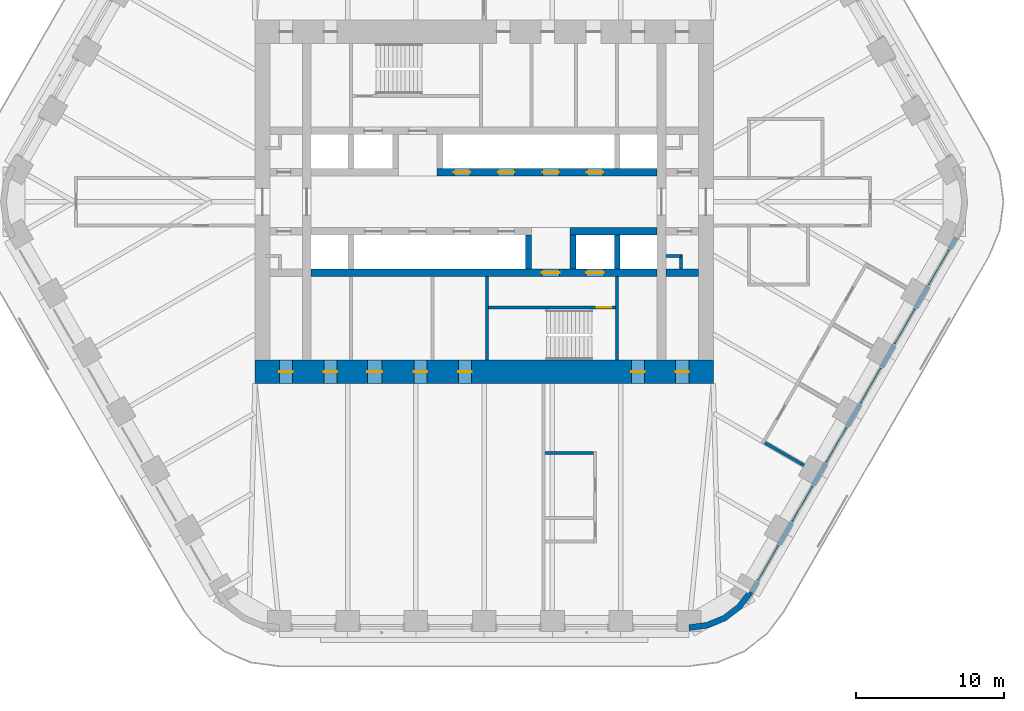
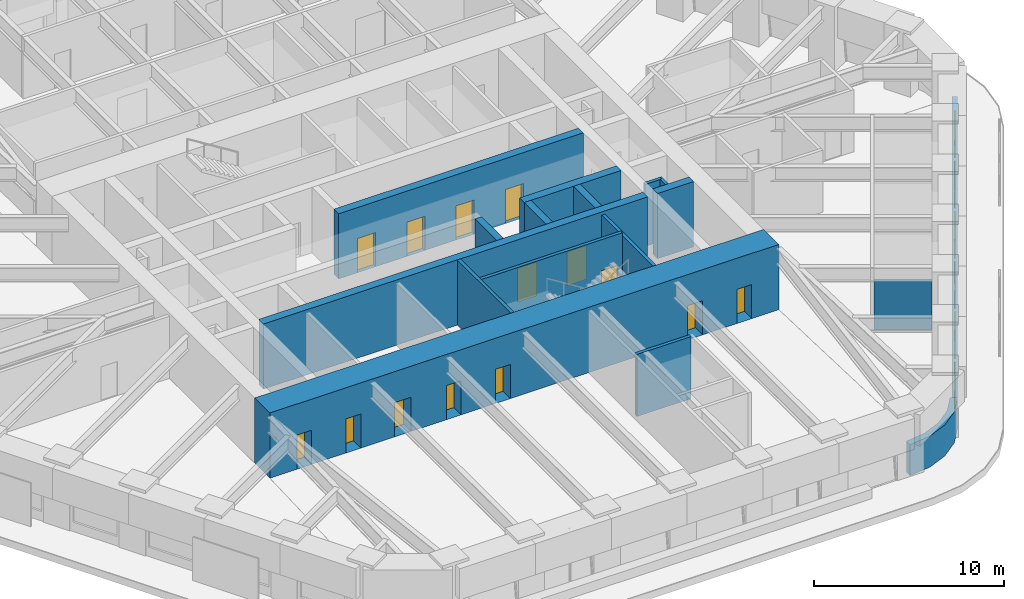
# One storey, part 15 of 20: 17 walls, 14 doors, 6 windows, 20 openings.
"""IFC4 building model written with IfcOpenShell, lengths in metres."""

from ifc_helpers import new_model, si_unit, direction, frame, frame_2d, origin, place, context, subcontext, project, spatial, polyline, rectangle, outline, extrude, material, layer, layer_set, type_object, element, fill, save


model = new_model("IFC4")

# Units and contexts
model_context = context("Model", 3, precision=1e-05, world=origin(), true_north=direction((0.0, 1.0)))
body_context = subcontext(model_context, "Body", "Model", "MODEL_VIEW")
ifc_project = project(units=[si_unit("LENGTHUNIT", "METRE"), si_unit("AREAUNIT", "SQUARE_METRE"), si_unit("VOLUMEUNIT", "CUBIC_METRE"), si_unit("PLANEANGLEUNIT", "RADIAN"), si_unit("MASSUNIT", "GRAM", prefix="KILO")], contexts=[model_context])

# Site, building, storey
site_placement = place(None, origin())
site = spatial("IfcSite", under=ifc_project, at=site_placement, CompositionType="ELEMENT")
building_placement = place(site_placement, origin())
building = spatial("IfcBuilding", under=site, at=building_placement, Name="Tarfa Lantern Tower", CompositionType="ELEMENT")
storey_placement = place(building_placement, frame((0.0, 0.0, 228.10009765625)))
storey = spatial("IfcBuildingStorey", under=building, at=storey_placement, Name="L51", CompositionType="ELEMENT", Elevation=228.10009765625)

# Wall, openings, windows
ifc_material_1 = material(Name="Limestone cladding on blockwork", Category="masonry")
ifc_layer_1 = layer(ifc_material_1, 0.300048828125)
ifc_layer_set_1 = layer_set([ifc_layer_1], Name="EW1 STONE-CLAD WALL 300")
wall_type_1 = type_object("IfcWallType", Name="EW1 STONE-CLAD WALL 300", PredefinedType="SOLIDWALL", material=ifc_layer_set_1)
wall_1_placement = place(storey_placement, frame((18.056640625, -26.425048828125, 0.0), z_axis=(0.0, 0.0, 1.0), x_axis=(0.500001051461, 0.866024796723, 0.0)))
wall_1 = element("IfcWall", 1, at=wall_1_placement, inside=storey, type_object=wall_type_1, Name="Stone wall SE", PredefinedType="SOLIDWALL", context=body_context, shape_type="SweptSolid", body=[
    extrude(rectangle(XDim=27.712890625, YDim=0.300048828125, at=frame_2d((13.8564453125, 0.0))), origin(), (0.0, 0.0, 1.0), 2.0),
])
opening_1_placement = place(wall_1_placement, frame((0.95947265625, 0.0, 0.60009765625)))
opening_1 = element("IfcOpeningElement", 2, at=opening_1_placement, cuts=wall_1, Name="Opening W13", PredefinedType="OPENING", context=body_context, shape_type="SweptSolid", body=[
    extrude(rectangle(XDim=2.699951171875, YDim=1.14990234375, at=frame_2d((1.35009765625, 0.574951171875))), frame((0.0, 0.159912109375, 0.0), z_axis=(0.0, -1.0, 0.0), x_axis=(1.0, 0.0, 0.0)), (0.0, 0.0, 1.0), 0.320068359375),
])
opening_2_placement = place(wall_1_placement, frame((5.578125, 0.0, 0.60009765625)))
opening_2 = element("IfcOpeningElement", 3, at=opening_2_placement, cuts=wall_1, Name="Opening W13", PredefinedType="OPENING", context=body_context, shape_type="SweptSolid", body=[
    extrude(rectangle(XDim=2.699951171875, YDim=1.14990234375, at=frame_2d((1.35009765625, 0.574951171875))), frame((0.0, 0.159912109375, 0.0), z_axis=(0.0, -1.0, 0.0), x_axis=(1.0, 0.0, 0.0)), (0.0, 0.0, 1.0), 0.320068359375),
])
opening_3_placement = place(wall_1_placement, frame((10.197021484375, 0.0, 0.60009765625)))
opening_3 = element("IfcOpeningElement", 4, at=opening_3_placement, cuts=wall_1, Name="Opening W13", PredefinedType="OPENING", context=body_context, shape_type="SweptSolid", body=[
    extrude(rectangle(XDim=2.699951171875, YDim=1.14990234375, at=frame_2d((1.35009765625, 0.574951171875))), frame((0.0, 0.159912109375, 0.0), z_axis=(0.0, -1.0, 0.0), x_axis=(1.0, 0.0, 0.0)), (0.0, 0.0, 1.0), 0.320068359375),
])
opening_4_placement = place(wall_1_placement, frame((14.81591796875, 0.0, 0.60009765625)))
opening_4 = element("IfcOpeningElement", 5, at=opening_4_placement, cuts=wall_1, Name="Opening W13", PredefinedType="OPENING", context=body_context, shape_type="SweptSolid", body=[
    extrude(rectangle(XDim=2.699951171875, YDim=1.14990234375, at=frame_2d((1.35009765625, 0.574951171875))), frame((0.0, 0.159912109375, 0.0), z_axis=(0.0, -1.0, 0.0), x_axis=(1.0, 0.0, 0.0)), (0.0, 0.0, 1.0), 0.320068359375),
])
opening_5_placement = place(wall_1_placement, frame((19.4345703125, 0.0, 0.60009765625)))
opening_5 = element("IfcOpeningElement", 6, at=opening_5_placement, cuts=wall_1, Name="Opening W13", PredefinedType="OPENING", context=body_context, shape_type="SweptSolid", body=[
    extrude(rectangle(XDim=2.699951171875, YDim=1.14990234375, at=frame_2d((1.35009765625, 0.574951171875))), frame((0.0, 0.159912109375, 0.0), z_axis=(0.0, -1.0, 0.0), x_axis=(1.0, 0.0, 0.0)), (0.0, 0.0, 1.0), 0.320068359375),
])
opening_6_placement = place(wall_1_placement, frame((24.053466796875, 0.0, 0.60009765625)))
opening_6 = element("IfcOpeningElement", 7, at=opening_6_placement, cuts=wall_1, Name="Opening W13", PredefinedType="OPENING", context=body_context, shape_type="SweptSolid", body=[
    extrude(rectangle(XDim=2.699951171875, YDim=1.14990234375, at=frame_2d((1.35009765625, 0.574951171875))), frame((0.0, 0.159912109375, 0.0), z_axis=(0.0, -1.0, 0.0), x_axis=(1.0, 0.0, 0.0)), (0.0, 0.0, 1.0), 0.320068359375),
])
ifc_material_2 = material(Name="Aluminium frame, double glazed", Category="aluminium")
window_type = type_object("IfcWindowType", Name="W13 FULL-HEIGHT GLAZING 2700x1150", PartitioningType="SINGLE_PANEL", PredefinedType="WINDOW", material=ifc_material_2)
window_1_placement = place(opening_1_placement, origin())
window_1 = element("IfcWindow", 8, at=window_1_placement, inside=storey, type_object=window_type, Name="Window SE 1", OverallHeight=1.14990234375, OverallWidth=2.699951171875, PartitioningType="SINGLE_PANEL", PredefinedType="WINDOW", context=body_context, shape_type="SweptSolid", body=[
    extrude(rectangle(XDim=2.699951171875, YDim=1.14990234375, at=frame_2d((1.35009765625, 0.574951171875))), frame((0.0, 0.030029296875, 0.0), z_axis=(0.0, -1.0, 0.0), x_axis=(1.0, 0.0, 0.0)), (0.0, 0.0, 1.0), 0.06005859375),
])
fill(opening_1, window_1)
window_2_placement = place(opening_2_placement, origin())
window_2 = element("IfcWindow", 9, at=window_2_placement, inside=storey, type_object=window_type, Name="Window SE 2", OverallHeight=1.14990234375, OverallWidth=2.699951171875, PartitioningType="SINGLE_PANEL", PredefinedType="WINDOW", context=body_context, shape_type="SweptSolid", body=[
    extrude(rectangle(XDim=2.699951171875, YDim=1.14990234375, at=frame_2d((1.35009765625, 0.574951171875))), frame((0.0, 0.030029296875, 0.0), z_axis=(0.0, -1.0, 0.0), x_axis=(1.0, 0.0, 0.0)), (0.0, 0.0, 1.0), 0.06005859375),
])
fill(opening_2, window_2)
window_3_placement = place(opening_3_placement, origin())
window_3 = element("IfcWindow", 10, at=window_3_placement, inside=storey, type_object=window_type, Name="Window SE 3", OverallHeight=1.14990234375, OverallWidth=2.699951171875, PartitioningType="SINGLE_PANEL", PredefinedType="WINDOW", context=body_context, shape_type="SweptSolid", body=[
    extrude(rectangle(XDim=2.699951171875, YDim=1.14990234375, at=frame_2d((1.35009765625, 0.574951171875))), frame((0.0, 0.030029296875, 0.0), z_axis=(0.0, -1.0, 0.0), x_axis=(1.0, 0.0, 0.0)), (0.0, 0.0, 1.0), 0.06005859375),
])
fill(opening_3, window_3)
window_4_placement = place(opening_4_placement, origin())
window_4 = element("IfcWindow", 11, at=window_4_placement, inside=storey, type_object=window_type, Name="Window SE 4", OverallHeight=1.14990234375, OverallWidth=2.699951171875, PartitioningType="SINGLE_PANEL", PredefinedType="WINDOW", context=body_context, shape_type="SweptSolid", body=[
    extrude(rectangle(XDim=2.699951171875, YDim=1.14990234375, at=frame_2d((1.35009765625, 0.574951171875))), frame((0.0, 0.030029296875, 0.0), z_axis=(0.0, -1.0, 0.0), x_axis=(1.0, 0.0, 0.0)), (0.0, 0.0, 1.0), 0.06005859375),
])
fill(opening_4, window_4)
window_5_placement = place(opening_5_placement, origin())
window_5 = element("IfcWindow", 12, at=window_5_placement, inside=storey, type_object=window_type, Name="Window SE 5", OverallHeight=1.14990234375, OverallWidth=2.699951171875, PartitioningType="SINGLE_PANEL", PredefinedType="WINDOW", context=body_context, shape_type="SweptSolid", body=[
    extrude(rectangle(XDim=2.699951171875, YDim=1.14990234375, at=frame_2d((1.35009765625, 0.574951171875))), frame((0.0, 0.030029296875, 0.0), z_axis=(0.0, -1.0, 0.0), x_axis=(1.0, 0.0, 0.0)), (0.0, 0.0, 1.0), 0.06005859375),
])
fill(opening_5, window_5)
window_6_placement = place(opening_6_placement, origin())
window_6 = element("IfcWindow", 13, at=window_6_placement, inside=storey, type_object=window_type, Name="Window SE 6", OverallHeight=1.14990234375, OverallWidth=2.699951171875, PartitioningType="SINGLE_PANEL", PredefinedType="WINDOW", context=body_context, shape_type="SweptSolid", body=[
    extrude(rectangle(XDim=2.699951171875, YDim=1.14990234375, at=frame_2d((1.35009765625, 0.574951171875))), frame((0.0, 0.030029296875, 0.0), z_axis=(0.0, -1.0, 0.0), x_axis=(1.0, 0.0, 0.0)), (0.0, 0.0, 1.0), 0.06005859375),
])
fill(opening_6, window_6)

# Walls
ifc_layer_2 = layer(ifc_material_1, 0.39990234375)
ifc_layer_set_2 = layer_set([ifc_layer_2], Name="EW2 CURVED STONE CORNER 400")
wall_type_2 = type_object("IfcWallType", Name="EW2 CURVED STONE CORNER 400", PredefinedType="SOLIDWALL", material=ifc_layer_set_2)
wall_2_placement = place(storey_placement, origin())
element("IfcWall", 14, at=wall_2_placement, inside=storey, type_object=wall_type_2, Name="Stone corner S-SE", PredefinedType="SOLIDWALL", context=body_context, shape_type="SweptSolid", body=[
    extrude(outline(polyline([(13.8564453125, -29.0), (15.150390625, -28.82958984375), (16.3564453125, -28.330078125), (17.391845703125, -27.53564453125), (18.1865234375, -26.5), (17.840087890625, -26.300048828125), (17.109130859375, -27.252685546875), (16.156494140625, -27.983642578125), (15.046875, -28.443359375), (13.8564453125, -28.60009765625), (13.8564453125, -29.0)])), origin(), (0.0, 0.0, 1.0), 2.0),
])
ifc_material_3 = material(Name="Concrete blockwork", Category="masonry")
ifc_layer_3 = layer(ifc_material_3, 0.199951171875)
ifc_layer_set_3 = layer_set([ifc_layer_3], Name="IW1 BLOCKWORK PARTITION 200 EI 120")
wall_type_3 = type_object("IfcWallType", Name="IW1 BLOCKWORK PARTITION 200 EI 120", PredefinedType="PARTITIONING", material=ifc_layer_set_3)
wall_3_placement = place(storey_placement, frame((9.0, -5.050048828125, 0.0), z_axis=(0.0, 0.0, 1.0), x_axis=(0.0, -1.0, 0.0)))
element("IfcWall", 15, at=wall_3_placement, inside=storey, type_object=wall_type_3, Name="Core partition", PredefinedType="PARTITIONING", context=body_context, shape_type="SweptSolid", body=[
    extrude(rectangle(XDim=5.64990234375, YDim=0.199951171875, at=frame_2d((2.824951171875, 0.0))), origin(), (0.0, 0.0, 1.0), 4.0),
])
for number, where, z_axis, x_axis, name in (
    (16, (13.300048828125, -3.64990234375, 0.0), (0.0, 0.0, 1.0), (-1.0, 0.0, 0.0), "Core partition"),
    (17, (13.300048828125, -3.550048828125, 0.0), (0.0, 0.0, 1.0), (0.0, -1.0, 0.0), "Core partition"),
):
    element("IfcWall", number, at=place(storey_placement, frame(where, z_axis=z_axis, x_axis=x_axis)), inside=storey, type_object=wall_type_3, Name=name, PredefinedType="PARTITIONING", context=body_context, shape_type="SweptSolid", body=[
        extrude(rectangle(XDim=1.0, YDim=0.199951171875, at=frame_2d((0.5, 0.0))), origin(), (0.0, 0.0, 1.0), 4.0),
    ])
ifc_material_4 = material(Name="Gypsum board on steel studs", Category="steel")
ifc_layer_4 = layer(ifc_material_4, 0.2099609375)
ifc_layer_set_4 = layer_set([ifc_layer_4], Name="IW2 ACOUSTIC PARTITION 200")
wall_type_4 = type_object("IfcWallType", Name="IW2 ACOUSTIC PARTITION 200", PredefinedType="PARTITIONING", material=ifc_layer_set_4)
wall_4_placement = place(storey_placement, frame((18.994873046875, -16.300048828125, 0.0), z_axis=(0.0, 0.0, 1.0), x_axis=(0.866037623948, -0.499978833458, 0.0)))
element("IfcWall", 18, at=wall_4_placement, inside=storey, type_object=wall_type_4, Name="Partition", PredefinedType="PARTITIONING", context=body_context, shape_type="SweptSolid", body=[
    extrude(rectangle(XDim=3.050048828125, YDim=0.199951171875, at=frame_2d((1.52490234375, 0.0))), origin(), (0.0, 0.0, 1.0), 3.08154296875),
])
wall_5_placement = place(storey_placement, frame((4.10009765625, -16.97509765625, 0.0), z_axis=(0.0, 0.0, 1.0), x_axis=(1.0, 0.0, 0.0)))
element("IfcWall", 19, at=wall_5_placement, inside=storey, type_object=wall_type_4, Name="Partition", PredefinedType="PARTITIONING", context=body_context, shape_type="SweptSolid", body=[
    extrude(rectangle(XDim=3.2998046875, YDim=0.199951171875, at=frame_2d((1.64990234375, 0.0))), origin(), (0.0, 0.0, 1.0), 4.0),
])
ifc_material_5 = material(Name="Concrete C80/95", Category="concrete")
ifc_layer_5 = layer(ifc_material_5, 0.199951171875)
ifc_layer_set_5 = layer_set([ifc_layer_5], Name="SW12 CORE WALL 200")
wall_type_5 = type_object("IfcWallType", Name="SW12 CORE WALL 200", PredefinedType="SHEAR", material=ifc_layer_set_5)
wall_6_placement = place(storey_placement, frame((0.199951171875, -5.050048828125, 0.0), z_axis=(0.0, 0.0, 1.0), x_axis=(0.0, -1.0, 0.0)))
element("IfcWall", 20, at=wall_6_placement, inside=storey, type_object=wall_type_5, Name="Core wall stair shaft S", PredefinedType="SHEAR", context=body_context, shape_type="SweptSolid", body=[
    extrude(rectangle(XDim=5.64990234375, YDim=0.199951171875, at=frame_2d((2.824951171875, 0.0))), origin(), (0.0, 0.0, 1.0), 4.199951171875),
])

# Wall, opening, door
wall_7_placement = place(storey_placement, frame((8.89990234375, -7.14990234375, 0.0), z_axis=(0.0, 0.0, 1.0), x_axis=(-1.0, 0.0, 0.0)))
wall_7 = element("IfcWall", 21, at=wall_7_placement, inside=storey, type_object=wall_type_5, Name="Core wall stair partition S", PredefinedType="SHEAR", context=body_context, shape_type="SweptSolid", body=[
    extrude(rectangle(XDim=8.599853515625, YDim=0.199951171875, at=frame_2d((4.2998046875, 0.0))), origin(), (0.0, 0.0, 1.0), 4.199951171875),
])
opening_7_placement = place(wall_7_placement, frame((0.300048828125, 0.0, 0.0)))
opening_7 = element("IfcOpeningElement", 22, at=opening_7_placement, cuts=wall_7, Name="Opening D24", PredefinedType="OPENING", context=body_context, shape_type="SweptSolid", body=[
    extrude(rectangle(XDim=1.0, YDim=2.199951171875, at=frame_2d((0.5, 1.10009765625))), frame((0.0, 0.10986328125, 0.0), z_axis=(0.0, -1.0, 0.0), x_axis=(1.0, 0.0, 0.0)), (0.0, 0.0, 1.0), 0.219970703125),
])
ifc_material_6 = material(Name="Steel fire door", Category="steel")
door_type_1 = type_object("IfcDoorType", Name="DF2 STAIR DOOR 1000x2200", OperationType="SINGLE_SWING_LEFT", PredefinedType="DOOR", material=ifc_material_6)
door_1_placement = place(opening_7_placement, origin())
door_1 = element("IfcDoor", 23, at=door_1_placement, inside=storey, type_object=door_type_1, Name="Stair door", OperationType="SINGLE_SWING_RIGHT", OverallHeight=2.199951171875, OverallWidth=1.0, PredefinedType="DOOR", context=body_context, shape_type="SweptSolid", body=[
    extrude(rectangle(XDim=1.0, YDim=2.199951171875, at=frame_2d((0.5, 1.10009765625))), frame((0.0, 0.02490234375, 0.0), z_axis=(0.0, -1.0, 0.0), x_axis=(1.0, 0.0, 0.0)), (0.0, 0.0, 1.0), 0.050048828125),
])
fill(opening_7, door_1)

# Wall, openings, doors
ifc_layer_6 = layer(ifc_material_5, 0.5)
ifc_layer_set_6 = layer_set([ifc_layer_6], Name="SW5 CORE WALL 500")
wall_type_6 = type_object("IfcWallType", Name="SW5 CORE WALL 500", PredefinedType="SHEAR", material=ifc_layer_set_6)
wall_8_placement = place(storey_placement, frame((-3.199951171875, 2.0, 0.0), z_axis=(0.0, 0.0, 1.0), x_axis=(1.0, 0.0, 0.0)))
wall_8 = element("IfcWall", 24, at=wall_8_placement, inside=storey, type_object=wall_type_6, Name="Core wall lobby east N", PredefinedType="SHEAR", context=body_context, shape_type="SweptSolid", body=[
    extrude(rectangle(XDim=14.89990234375, YDim=0.5, at=frame_2d((7.449951171875, 0.0))), origin(), (0.0, 0.0, 1.0), 4.199951171875),
])
opening_8_placement = place(wall_8_placement, frame((1.14990234375, 0.0, 0.0)))
opening_8 = element("IfcOpeningElement", 25, at=opening_8_placement, cuts=wall_8, Name="Opening LD03", PredefinedType="OPENING", context=body_context, shape_type="SweptSolid", body=[
    extrude(rectangle(XDim=1.10009765625, YDim=2.199951171875, at=frame_2d((0.550048828125, 1.10009765625))), frame((0.0, 0.260009765625, 0.0), z_axis=(0.0, -1.0, 0.0), x_axis=(1.0, 0.0, 0.0)), (0.0, 0.0, 1.0), 0.52001953125),
])
opening_9_placement = place(wall_8_placement, frame((4.14990234375, 0.0, 0.0)))
opening_9 = element("IfcOpeningElement", 26, at=opening_9_placement, cuts=wall_8, Name="Opening LD04", PredefinedType="OPENING", context=body_context, shape_type="SweptSolid", body=[
    extrude(rectangle(XDim=1.10009765625, YDim=2.199951171875, at=frame_2d((0.550048828125, 1.10009765625))), frame((0.0, 0.260009765625, 0.0), z_axis=(0.0, -1.0, 0.0), x_axis=(1.0, 0.0, 0.0)), (0.0, 0.0, 1.0), 0.52001953125),
])
opening_10_placement = place(wall_8_placement, frame((7.14990234375, 0.0, 0.0)))
opening_10 = element("IfcOpeningElement", 27, at=opening_10_placement, cuts=wall_8, Name="Opening LD05", PredefinedType="OPENING", context=body_context, shape_type="SweptSolid", body=[
    extrude(rectangle(XDim=1.10009765625, YDim=2.199951171875, at=frame_2d((0.550048828125, 1.10009765625))), frame((0.0, 0.260009765625, 0.0), z_axis=(0.0, -1.0, 0.0), x_axis=(1.0, 0.0, 0.0)), (0.0, 0.0, 1.0), 0.52001953125),
])
opening_11_placement = place(wall_8_placement, frame((10.14990234375, 0.0, 0.0)))
opening_11 = element("IfcOpeningElement", 28, at=opening_11_placement, cuts=wall_8, Name="Opening LD06", PredefinedType="OPENING", context=body_context, shape_type="SweptSolid", body=[
    extrude(rectangle(XDim=1.10009765625, YDim=2.199951171875, at=frame_2d((0.550048828125, 1.10009765625))), frame((0.0, 0.260009765625, 0.0), z_axis=(0.0, -1.0, 0.0), x_axis=(1.0, 0.0, 0.0)), (0.0, 0.0, 1.0), 0.52001953125),
])
ifc_material_7 = material(Name="Stainless steel lift door", Category="steel")
door_type_2 = type_object("IfcDoorType", Name="LD2 LIFT LANDING DOOR 1100x2200", OperationType="SLIDING_TO_LEFT", PredefinedType="DOOR", material=ifc_material_7)
door_2_placement = place(opening_8_placement, frame((1.10009765625, 0.0, 0.0), z_axis=(0.0, 0.0, 1.0), x_axis=(-1.0, 0.0, 0.0)))
door_2 = element("IfcDoor", 29, at=door_2_placement, inside=storey, type_object=door_type_2, Name="Landing door PC1", OperationType="SLIDING_TO_LEFT", OverallHeight=2.199951171875, OverallWidth=1.10009765625, PredefinedType="DOOR", context=body_context, shape_type="SweptSolid", body=[
    extrude(rectangle(XDim=1.10009765625, YDim=2.199951171875, at=frame_2d((0.550048828125, 1.10009765625))), frame((0.0, 0.02490234375, 0.0), z_axis=(0.0, -1.0, 0.0), x_axis=(1.0, 0.0, 0.0)), (0.0, 0.0, 1.0), 0.050048828125),
])
fill(opening_8, door_2)
door_3_placement = place(opening_9_placement, frame((1.10009765625, 0.0, 0.0), z_axis=(0.0, 0.0, 1.0), x_axis=(-1.0, 0.0, 0.0)))
door_3 = element("IfcDoor", 30, at=door_3_placement, inside=storey, type_object=door_type_2, Name="Landing door PC2", OperationType="SLIDING_TO_LEFT", OverallHeight=2.199951171875, OverallWidth=1.10009765625, PredefinedType="DOOR", context=body_context, shape_type="SweptSolid", body=[
    extrude(rectangle(XDim=1.10009765625, YDim=2.199951171875, at=frame_2d((0.550048828125, 1.10009765625))), frame((0.0, 0.02490234375, 0.0), z_axis=(0.0, -1.0, 0.0), x_axis=(1.0, 0.0, 0.0)), (0.0, 0.0, 1.0), 0.050048828125),
])
fill(opening_9, door_3)
door_4_placement = place(opening_10_placement, frame((1.10009765625, 0.0, 0.0), z_axis=(0.0, 0.0, 1.0), x_axis=(-1.0, 0.0, 0.0)))
door_4 = element("IfcDoor", 31, at=door_4_placement, inside=storey, type_object=door_type_2, Name="Landing door PC3", OperationType="SLIDING_TO_LEFT", OverallHeight=2.199951171875, OverallWidth=1.10009765625, PredefinedType="DOOR", context=body_context, shape_type="SweptSolid", body=[
    extrude(rectangle(XDim=1.10009765625, YDim=2.199951171875, at=frame_2d((0.550048828125, 1.10009765625))), frame((0.0, 0.02490234375, 0.0), z_axis=(0.0, -1.0, 0.0), x_axis=(1.0, 0.0, 0.0)), (0.0, 0.0, 1.0), 0.050048828125),
])
fill(opening_10, door_4)
door_5_placement = place(opening_11_placement, frame((1.10009765625, 0.0, 0.0), z_axis=(0.0, 0.0, 1.0), x_axis=(-1.0, 0.0, 0.0)))
door_5 = element("IfcDoor", 32, at=door_5_placement, inside=storey, type_object=door_type_2, Name="Landing door PC4", OperationType="SLIDING_TO_LEFT", OverallHeight=2.199951171875, OverallWidth=1.10009765625, PredefinedType="DOOR", context=body_context, shape_type="SweptSolid", body=[
    extrude(rectangle(XDim=1.10009765625, YDim=2.199951171875, at=frame_2d((0.550048828125, 1.10009765625))), frame((0.0, 0.02490234375, 0.0), z_axis=(0.0, -1.0, 0.0), x_axis=(1.0, 0.0, 0.0)), (0.0, 0.0, 1.0), 0.050048828125),
])
fill(opening_11, door_5)

# Walls
wall_9_placement = place(storey_placement, frame((11.699951171875, -2.0, 0.0), z_axis=(0.0, 0.0, 1.0), x_axis=(-1.0, 0.0, 0.0)))
element("IfcWall", 33, at=wall_9_placement, inside=storey, type_object=wall_type_6, Name="Core wall lobby west S", PredefinedType="SHEAR", context=body_context, shape_type="SweptSolid", body=[
    extrude(rectangle(XDim=5.89990234375, YDim=0.5, at=frame_2d((2.949951171875, 0.0))), origin(), (0.0, 0.0, 1.0), 4.199951171875),
])
wall_10_placement = place(storey_placement, frame((14.5, -4.800048828125, 0.0), z_axis=(0.0, 0.0, 1.0), x_axis=(-1.0, 0.0, 0.0)))
element("IfcWall", 34, at=wall_10_placement, inside=storey, type_object=wall_type_6, Name="Core wall rear S", PredefinedType="SHEAR", context=body_context, shape_type="SweptSolid", body=[
    extrude(rectangle(XDim=2.199951171875, YDim=0.5, at=frame_2d((1.10009765625, 0.0))), origin(), (0.0, 0.0, 1.0), 4.199951171875),
])

# Wall, openings, doors
wall_11_placement = place(storey_placement, frame((11.699951171875, -4.800048828125, 0.0), z_axis=(0.0, 0.0, 1.0), x_axis=(-1.0, 0.0, 0.0)))
wall_11 = element("IfcWall", 35, at=wall_11_placement, inside=storey, type_object=wall_type_6, Name="Core wall rear S", PredefinedType="SHEAR", context=body_context, shape_type="SweptSolid", body=[
    extrude(rectangle(XDim=23.39990234375, YDim=0.5, at=frame_2d((11.699951171875, 0.0))), origin(), (0.0, 0.0, 1.0), 4.199951171875),
])
opening_12_placement = place(wall_11_placement, frame((6.60009765625, 0.0, 0.0)))
opening_12 = element("IfcOpeningElement", 36, at=opening_12_placement, cuts=wall_11, Name="Opening D10", PredefinedType="OPENING", context=body_context, shape_type="SweptSolid", body=[
    extrude(rectangle(XDim=1.199951171875, YDim=2.199951171875, at=frame_2d((0.60009765625, 1.10009765625))), frame((0.0, 0.260009765625, 0.0), z_axis=(0.0, -1.0, 0.0), x_axis=(1.0, 0.0, 0.0)), (0.0, 0.0, 1.0), 0.52001953125),
])
opening_13_placement = place(wall_11_placement, frame((3.60009765625, 0.0, 0.0)))
opening_13 = element("IfcOpeningElement", 37, at=opening_13_placement, cuts=wall_11, Name="Opening LD02", PredefinedType="OPENING", context=body_context, shape_type="SweptSolid", body=[
    extrude(rectangle(XDim=1.199951171875, YDim=2.199951171875, at=frame_2d((0.60009765625, 1.10009765625))), frame((0.0, 0.260009765625, 0.0), z_axis=(0.0, -1.0, 0.0), x_axis=(1.0, 0.0, 0.0)), (0.0, 0.0, 1.0), 0.52001953125),
])
door_type_3 = type_object("IfcDoorType", Name="DF1 FIREFIGHTING LOBBY DOOR 1200x2200", OperationType="SINGLE_SWING_LEFT", PredefinedType="DOOR", material=ifc_material_6)
door_6_placement = place(opening_12_placement, origin())
door_6 = element("IfcDoor", 38, at=door_6_placement, inside=storey, type_object=door_type_3, Name="Firefighting lobby door", OperationType="SINGLE_SWING_LEFT", OverallHeight=2.199951171875, OverallWidth=1.199951171875, PredefinedType="DOOR", context=body_context, shape_type="SweptSolid", body=[
    extrude(rectangle(XDim=1.199951171875, YDim=2.199951171875, at=frame_2d((0.60009765625, 1.10009765625))), frame((0.0, 0.02490234375, 0.0), z_axis=(0.0, -1.0, 0.0), x_axis=(1.0, 0.0, 0.0)), (0.0, 0.0, 1.0), 0.050048828125),
])
fill(opening_12, door_6)
door_type_4 = type_object("IfcDoorType", Name="LD1 LIFT LANDING DOOR 1200x2200", OperationType="SLIDING_TO_LEFT", PredefinedType="DOOR", material=ifc_material_7)
door_7_placement = place(opening_13_placement, origin())
door_7 = element("IfcDoor", 39, at=door_7_placement, inside=storey, type_object=door_type_4, Name="Landing door FL2", OperationType="SLIDING_TO_LEFT", OverallHeight=2.199951171875, OverallWidth=1.199951171875, PredefinedType="DOOR", context=body_context, shape_type="SweptSolid", body=[
    extrude(rectangle(XDim=1.199951171875, YDim=2.199951171875, at=frame_2d((0.60009765625, 1.10009765625))), frame((0.0, 0.02490234375, 0.0), z_axis=(0.0, -1.0, 0.0), x_axis=(1.0, 0.0, 0.0)), (0.0, 0.0, 1.0), 0.050048828125),
])
fill(opening_13, door_7)

# Walls
ifc_layer_7 = layer(ifc_material_5, 0.39990234375)
ifc_layer_set_7 = layer_set([ifc_layer_7], Name="SW6 CORE WALL 400")
wall_type_7 = type_object("IfcWallType", Name="SW6 CORE WALL 400", PredefinedType="SHEAR", material=ifc_layer_set_7)
for number, where, z_axis, x_axis, name in (
    (40, (9.0, -2.25, 0.0), (0.0, 0.0, 1.0), (0.0, -1.0, 0.0), "Core wall divider S"),
    (41, (6.0, -2.25, 0.0), (0.0, 0.0, 1.0), (0.0, -1.0, 0.0), "Core wall divider S"),
    (42, (3.0, -2.25, 0.0), (0.0, 0.0, 1.0), (0.0, -1.0, 0.0), "Core wall divider S"),
):
    element("IfcWall", number, at=place(storey_placement, frame(where, z_axis=z_axis, x_axis=x_axis)), inside=storey, type_object=wall_type_7, Name=name, PredefinedType="SHEAR", context=body_context, shape_type="SweptSolid", body=[
        extrude(rectangle(XDim=2.300048828125, YDim=0.39990234375, at=frame_2d((1.14990234375, 0.0))), origin(), (0.0, 0.0, 1.0), 4.199951171875),
    ])

# Wall, openings, doors
ifc_layer_8 = layer(ifc_material_5, 1.60009765625)
ifc_layer_set_8 = layer_set([ifc_layer_8], Name="SW7 CORE WALL 1600")
wall_type_8 = type_object("IfcWallType", Name="SW7 CORE WALL 1600", PredefinedType="SHEAR", material=ifc_layer_set_8)
wall_12_placement = place(storey_placement, frame((15.5, -11.5, 0.0), z_axis=(0.0, 0.0, 1.0), x_axis=(-1.0, 0.0, 0.0)))
wall_12 = element("IfcWall", 43, at=wall_12_placement, inside=storey, type_object=wall_type_8, Name="Core wall S", PredefinedType="SHEAR", context=body_context, shape_type="SweptSolid", body=[
    extrude(rectangle(XDim=31.0, YDim=1.60009765625, at=frame_2d((15.5, 0.0))), origin(), (0.0, 0.0, 1.0), 4.199951171875),
])
opening_14_placement = place(wall_12_placement, frame((16.35009765625, 0.0, 0.0)))
opening_14 = element("IfcOpeningElement", 44, at=opening_14_placement, cuts=wall_12, Name="Opening D18", PredefinedType="OPENING", context=body_context, shape_type="SweptSolid", body=[
    extrude(rectangle(XDim=0.89990234375, YDim=2.199951171875, at=frame_2d((0.449951171875, 1.10009765625))), frame((0.0, 0.81005859375, 0.0), z_axis=(0.0, -1.0, 0.0), x_axis=(1.0, 0.0, 0.0)), (0.0, 0.0, 1.0), 1.6201171875),
])
opening_15_placement = place(wall_12_placement, frame((19.35009765625, 0.0, 0.0)))
opening_15 = element("IfcOpeningElement", 45, at=opening_15_placement, cuts=wall_12, Name="Opening D20", PredefinedType="OPENING", context=body_context, shape_type="SweptSolid", body=[
    extrude(rectangle(XDim=0.89990234375, YDim=2.199951171875, at=frame_2d((0.449951171875, 1.10009765625))), frame((0.0, 0.81005859375, 0.0), z_axis=(0.0, -1.0, 0.0), x_axis=(1.0, 0.0, 0.0)), (0.0, 0.0, 1.0), 1.6201171875),
])
opening_16_placement = place(wall_12_placement, frame((22.39990234375, 0.0, 0.0)))
opening_16 = element("IfcOpeningElement", 46, at=opening_16_placement, cuts=wall_12, Name="Opening D22", PredefinedType="OPENING", context=body_context, shape_type="SweptSolid", body=[
    extrude(rectangle(XDim=1.0, YDim=2.199951171875, at=frame_2d((0.5, 1.10009765625))), frame((0.0, 0.81005859375, 0.0), z_axis=(0.0, -1.0, 0.0), x_axis=(1.0, 0.0, 0.0)), (0.0, 0.0, 1.0), 1.6201171875),
])
opening_17_placement = place(wall_12_placement, frame((1.64990234375, 0.0, 0.0)))
opening_17 = element("IfcOpeningElement", 47, at=opening_17_placement, cuts=wall_12, Name="Opening D08", PredefinedType="OPENING", context=body_context, shape_type="SweptSolid", body=[
    extrude(rectangle(XDim=0.89990234375, YDim=2.199951171875, at=frame_2d((0.449951171875, 1.10009765625))), frame((0.0, 0.81005859375, 0.0), z_axis=(0.0, -1.0, 0.0), x_axis=(1.0, 0.0, 0.0)), (0.0, 0.0, 1.0), 1.6201171875),
])
opening_18_placement = place(wall_12_placement, frame((4.64990234375, 0.0, 0.0)))
opening_18 = element("IfcOpeningElement", 48, at=opening_18_placement, cuts=wall_12, Name="Opening D06", PredefinedType="OPENING", context=body_context, shape_type="SweptSolid", body=[
    extrude(rectangle(XDim=0.89990234375, YDim=2.199951171875, at=frame_2d((0.449951171875, 1.10009765625))), frame((0.0, 0.81005859375, 0.0), z_axis=(0.0, -1.0, 0.0), x_axis=(1.0, 0.0, 0.0)), (0.0, 0.0, 1.0), 1.6201171875),
])
opening_19_placement = place(wall_12_placement, frame((25.449951171875, 0.0, 0.0)))
opening_19 = element("IfcOpeningElement", 49, at=opening_19_placement, cuts=wall_12, Name="Opening D04", PredefinedType="OPENING", context=body_context, shape_type="SweptSolid", body=[
    extrude(rectangle(XDim=0.89990234375, YDim=2.199951171875, at=frame_2d((0.449951171875, 1.10009765625))), frame((0.0, 0.81005859375, 0.0), z_axis=(0.0, -1.0, 0.0), x_axis=(1.0, 0.0, 0.0)), (0.0, 0.0, 1.0), 1.6201171875),
])
opening_20_placement = place(wall_12_placement, frame((28.449951171875, 0.0, 0.0)))
opening_20 = element("IfcOpeningElement", 50, at=opening_20_placement, cuts=wall_12, Name="Opening D02", PredefinedType="OPENING", context=body_context, shape_type="SweptSolid", body=[
    extrude(rectangle(XDim=0.89990234375, YDim=2.199951171875, at=frame_2d((0.449951171875, 1.10009765625))), frame((0.0, 0.81005859375, 0.0), z_axis=(0.0, -1.0, 0.0), x_axis=(1.0, 0.0, 0.0)), (0.0, 0.0, 1.0), 1.6201171875),
])
door_type_5 = type_object("IfcDoorType", Name="DF3 CORE ROOM DOOR 900x2200", OperationType="SINGLE_SWING_LEFT", PredefinedType="DOOR", material=ifc_material_6)
door_8_placement = place(opening_14_placement, frame((0.89990234375, 0.0, 0.0), z_axis=(0.0, 0.0, 1.0), x_axis=(-1.0, 0.0, 0.0)))
door_8 = element("IfcDoor", 51, at=door_8_placement, inside=storey, type_object=door_type_5, Name="Core door", OperationType="SINGLE_SWING_LEFT", OverallHeight=2.199951171875, OverallWidth=0.89990234375, PredefinedType="DOOR", context=body_context, shape_type="SweptSolid", body=[
    extrude(rectangle(XDim=0.89990234375, YDim=2.199951171875, at=frame_2d((0.449951171875, 1.10009765625))), frame((0.0, 0.02490234375, 0.0), z_axis=(0.0, -1.0, 0.0), x_axis=(1.0, 0.0, 0.0)), (0.0, 0.0, 1.0), 0.050048828125),
])
fill(opening_14, door_8)
door_9_placement = place(opening_15_placement, frame((0.89990234375, 0.0, 0.0), z_axis=(0.0, 0.0, 1.0), x_axis=(-1.0, 0.0, 0.0)))
door_9 = element("IfcDoor", 52, at=door_9_placement, inside=storey, type_object=door_type_5, Name="Core door", OperationType="SINGLE_SWING_LEFT", OverallHeight=2.199951171875, OverallWidth=0.89990234375, PredefinedType="DOOR", context=body_context, shape_type="SweptSolid", body=[
    extrude(rectangle(XDim=0.89990234375, YDim=2.199951171875, at=frame_2d((0.449951171875, 1.10009765625))), frame((0.0, 0.02490234375, 0.0), z_axis=(0.0, -1.0, 0.0), x_axis=(1.0, 0.0, 0.0)), (0.0, 0.0, 1.0), 0.050048828125),
])
fill(opening_15, door_9)
door_type_6 = type_object("IfcDoorType", Name="DF4 CORE ROOM DOOR 1000x2200", OperationType="SINGLE_SWING_LEFT", PredefinedType="DOOR", material=ifc_material_6)
door_10_placement = place(opening_16_placement, frame((1.0, 0.0, 0.0), z_axis=(0.0, 0.0, 1.0), x_axis=(-1.0, 0.0, 0.0)))
door_10 = element("IfcDoor", 53, at=door_10_placement, inside=storey, type_object=door_type_6, Name="Core door", OperationType="SINGLE_SWING_RIGHT", OverallHeight=2.199951171875, OverallWidth=1.0, PredefinedType="DOOR", context=body_context, shape_type="SweptSolid", body=[
    extrude(rectangle(XDim=1.0, YDim=2.199951171875, at=frame_2d((0.5, 1.10009765625))), frame((0.0, 0.02490234375, 0.0), z_axis=(0.0, -1.0, 0.0), x_axis=(1.0, 0.0, 0.0)), (0.0, 0.0, 1.0), 0.050048828125),
])
fill(opening_16, door_10)
door_type_7 = type_object("IfcDoorType", Name="DF5 RISER DOOR 900x2200", OperationType="SINGLE_SWING_LEFT", PredefinedType="DOOR", material=ifc_material_6)
door_11_placement = place(opening_17_placement, frame((0.89990234375, 0.0, 0.0), z_axis=(0.0, 0.0, 1.0), x_axis=(-1.0, 0.0, 0.0)))
door_11 = element("IfcDoor", 54, at=door_11_placement, inside=storey, type_object=door_type_7, Name="Riser door", OperationType="SINGLE_SWING_LEFT", OverallHeight=2.199951171875, OverallWidth=0.89990234375, PredefinedType="DOOR", context=body_context, shape_type="SweptSolid", body=[
    extrude(rectangle(XDim=0.89990234375, YDim=2.199951171875, at=frame_2d((0.449951171875, 1.10009765625))), frame((0.0, 0.02490234375, 0.0), z_axis=(0.0, -1.0, 0.0), x_axis=(1.0, 0.0, 0.0)), (0.0, 0.0, 1.0), 0.050048828125),
])
fill(opening_17, door_11)
door_12_placement = place(opening_18_placement, frame((0.89990234375, 0.0, 0.0), z_axis=(0.0, 0.0, 1.0), x_axis=(-1.0, 0.0, 0.0)))
door_12 = element("IfcDoor", 55, at=door_12_placement, inside=storey, type_object=door_type_7, Name="Riser door", OperationType="SINGLE_SWING_LEFT", OverallHeight=2.199951171875, OverallWidth=0.89990234375, PredefinedType="DOOR", context=body_context, shape_type="SweptSolid", body=[
    extrude(rectangle(XDim=0.89990234375, YDim=2.199951171875, at=frame_2d((0.449951171875, 1.10009765625))), frame((0.0, 0.02490234375, 0.0), z_axis=(0.0, -1.0, 0.0), x_axis=(1.0, 0.0, 0.0)), (0.0, 0.0, 1.0), 0.050048828125),
])
fill(opening_18, door_12)
door_13_placement = place(opening_19_placement, frame((0.89990234375, 0.0, 0.0), z_axis=(0.0, 0.0, 1.0), x_axis=(-1.0, 0.0, 0.0)))
door_13 = element("IfcDoor", 56, at=door_13_placement, inside=storey, type_object=door_type_7, Name="Riser door", OperationType="SINGLE_SWING_RIGHT", OverallHeight=2.199951171875, OverallWidth=0.89990234375, PredefinedType="DOOR", context=body_context, shape_type="SweptSolid", body=[
    extrude(rectangle(XDim=0.89990234375, YDim=2.199951171875, at=frame_2d((0.449951171875, 1.10009765625))), frame((0.0, 0.02490234375, 0.0), z_axis=(0.0, -1.0, 0.0), x_axis=(1.0, 0.0, 0.0)), (0.0, 0.0, 1.0), 0.050048828125),
])
fill(opening_19, door_13)
door_14_placement = place(opening_20_placement, frame((0.89990234375, 0.0, 0.0), z_axis=(0.0, 0.0, 1.0), x_axis=(-1.0, 0.0, 0.0)))
door_14 = element("IfcDoor", 57, at=door_14_placement, inside=storey, type_object=door_type_7, Name="Riser door", OperationType="SINGLE_SWING_RIGHT", OverallHeight=2.199951171875, OverallWidth=0.89990234375, PredefinedType="DOOR", context=body_context, shape_type="SweptSolid", body=[
    extrude(rectangle(XDim=0.89990234375, YDim=2.199951171875, at=frame_2d((0.449951171875, 1.10009765625))), frame((0.0, 0.02490234375, 0.0), z_axis=(0.0, -1.0, 0.0), x_axis=(1.0, 0.0, 0.0)), (0.0, 0.0, 1.0), 0.050048828125),
])
fill(opening_20, door_14)

save(model, "model.ifc")
